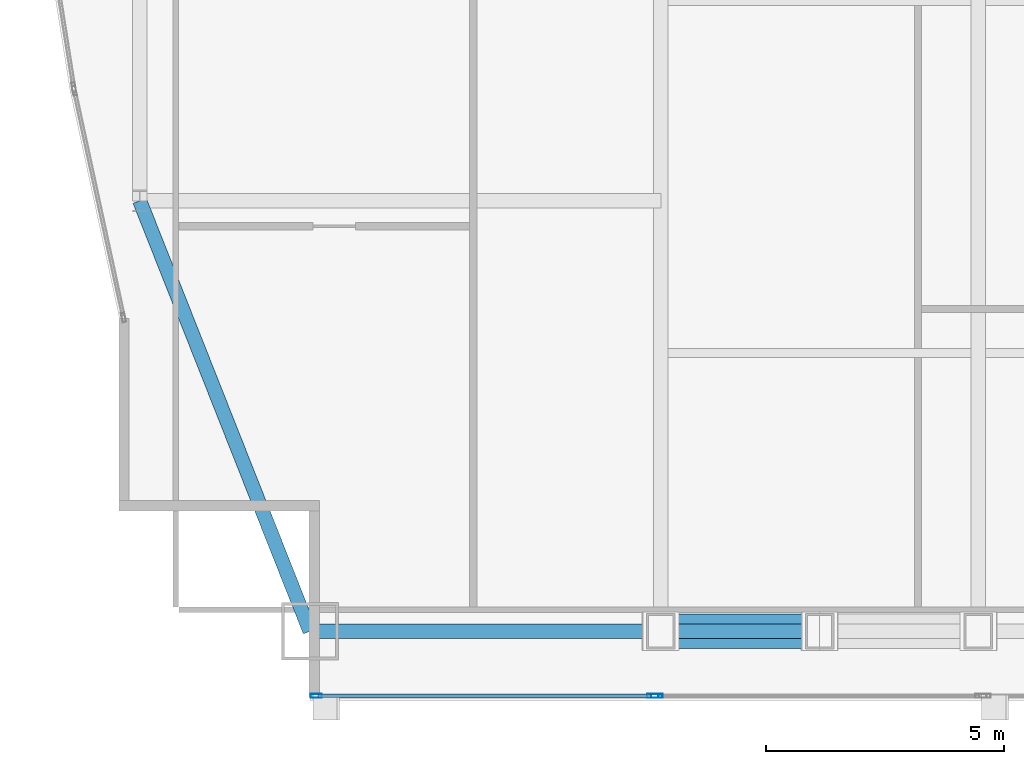
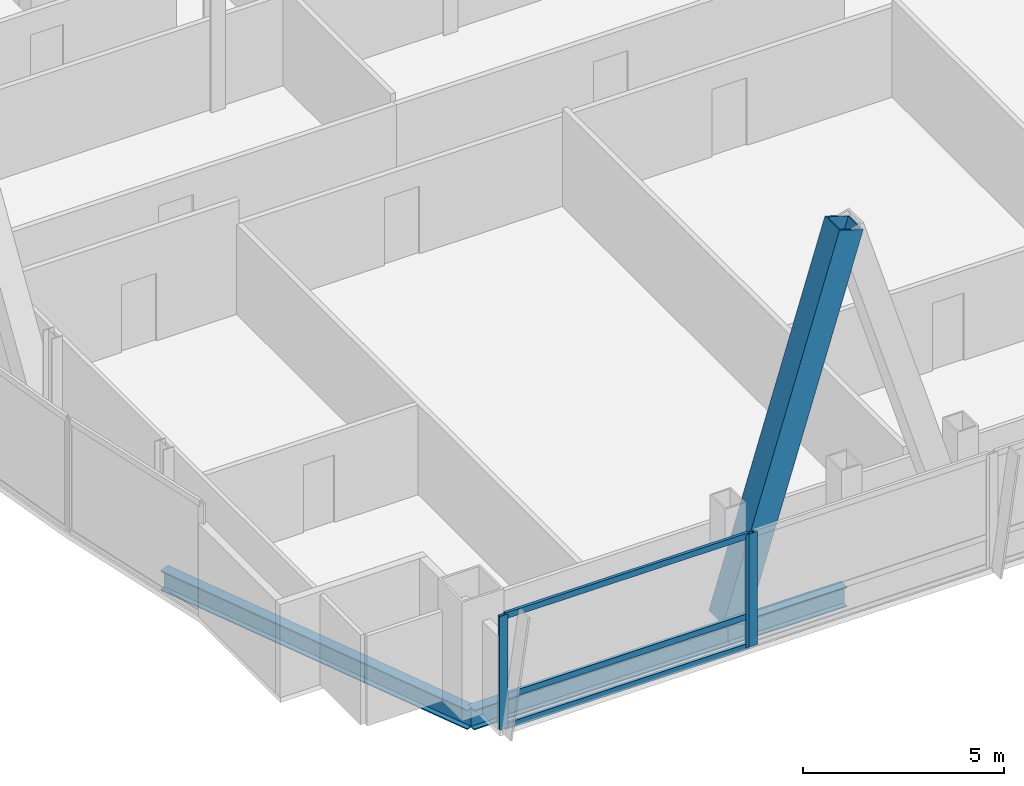
# One storey, part 5 of 33: 7 members, 3 beams, 2 elements without a shape of their own.
"""IFC4 building model written with IfcOpenShell, lengths in metres."""

from ifc_helpers import new_model, si_unit, direction, frame, origin, origin_2d, place, context, subcontext, project, spatial, hollow_rectangle, i_section, extrude, material, material_profile, profile_set, type_object, element, aggregate, save


model = new_model("IFC4")

# Units and contexts
model_context = context("Model", 3, precision=1e-05, world=origin(), true_north=direction((0.0, 1.0)))
body_context = subcontext(model_context, "Body", "Model", "MODEL_VIEW")
ifc_project = project(units=[si_unit("LENGTHUNIT", "METRE"), si_unit("AREAUNIT", "SQUARE_METRE"), si_unit("VOLUMEUNIT", "CUBIC_METRE"), si_unit("PLANEANGLEUNIT", "RADIAN"), si_unit("MASSUNIT", "GRAM", prefix="KILO")], contexts=[model_context])

# Site, building, storey
site_placement = place(None, origin())
site = spatial("IfcSite", under=ifc_project, at=site_placement, CompositionType="ELEMENT")
building_placement = place(site_placement, origin())
building = spatial("IfcBuilding", under=site, at=building_placement, Name="Khoronbel Lancet Exchange", CompositionType="ELEMENT")
storey_placement = place(building_placement, frame((0.0, 0.0, 210.199951171875)))
storey = spatial("IfcBuildingStorey", under=building, at=storey_placement, Name="L53", CompositionType="ELEMENT", Elevation=210.199951171875)

# Beams
ifc_material_1 = material(Name="Steel S355", Category="steel")
ifc_material_profile_1 = material_profile(ifc_material_1, i_section(OverallWidth=0.300048828125, OverallDepth=0.60009765625, WebThickness=0.015380859375, FlangeThickness=0.030029296875, at=origin_2d()), Name="HEB 600")
ifc_profile_set_1 = profile_set([ifc_material_profile_1], Name="Steel S355")
beam_type = type_object("IfcBeamType", Name="BM-BSP2", PredefinedType="SPANDREL", material=ifc_profile_set_1)
beam_1_placement = place(storey_placement, frame((10.85009765625, 10.14990234375, -0.4599609375), z_axis=(1.0, 0.0, 0.0), x_axis=(0.0, 1.0, 0.0)))
element("IfcBeam", 1, at=beam_1_placement, inside=storey, type_object=beam_type, Name="Level L53 perimeter spandrel beam SP01", PredefinedType="SPANDREL", context=body_context, shape_type="SweptSolid", body=[
    extrude(i_section(OverallWidth=0.300048828125, OverallDepth=0.60009765625, WebThickness=0.015380859375, FlangeThickness=0.030029296875, at=origin_2d()), origin(), (0.0, 0.0, 1.0), 7.375),
])
beam_2_placement = place(storey_placement, frame((18.22509765625, 10.14990234375, -0.4599609375), z_axis=(1.0, 0.0, 0.0), x_axis=(0.0, 1.0, 0.0)))
element("IfcBeam", 2, at=beam_2_placement, inside=storey, type_object=beam_type, Name="Level L53 perimeter spandrel beam SP02", PredefinedType="SPANDREL", context=body_context, shape_type="SweptSolid", body=[
    extrude(i_section(OverallWidth=0.300048828125, OverallDepth=0.60009765625, WebThickness=0.015380859375, FlangeThickness=0.030029296875, at=origin_2d()), origin(), (0.0, 0.0, 1.0), 3.33740234375),
])
beam_3_placement = place(storey_placement, frame((7.27001953125, 19.199951171875, -0.4599609375), z_axis=(0.367850095026, -0.92988510451, 0.0), x_axis=(0.92988510451, 0.367850095026, 0.0)))
element("IfcBeam", 3, at=beam_3_placement, inside=storey, type_object=beam_type, Name="Level L53 perimeter spandrel beam SP21", PredefinedType="SPANDREL", context=body_context, shape_type="SweptSolid", body=[
    extrude(i_section(OverallWidth=0.300048828125, OverallDepth=0.60009765625, WebThickness=0.015380859375, FlangeThickness=0.030029296875, at=origin_2d()), origin(), (0.0, 0.0, 1.0), 9.732421875),
])

# Curtain wall, members
ifc_material_2 = material(Name="Low-E Solar Control Insulating Glass", Category="glass")
curtain_wall_type = type_object("IfcCurtainWallType", Name="CW-3", PredefinedType="NOTDEFINED", material=ifc_material_2)
curtain_wall_1_placement = place(storey_placement, origin())
curtain_wall_1 = element("IfcCurtainWall", 4, at=curtain_wall_1_placement, inside=storey, type_object=curtain_wall_type, Name="Unitised curtain wall CW-L53-SWV", PredefinedType="NOTDEFINED")
ifc_material_3 = material(Name="Bronze-Anodised Aluminium 6063-T6", Category="aluminium")
ifc_material_profile_2 = material_profile(ifc_material_3, hollow_rectangle(XDim=0.0849609375, YDim=0.239990234375, WallThickness=0.006103515625, at=origin_2d()), Name="ALU MULLION 85x240")
ifc_profile_set_2 = profile_set([ifc_material_profile_2], Name="Bronze-Anodised Aluminium 6063-T6")
member_type_1 = type_object("IfcMemberType", Name="MEM-CWM1", PredefinedType="MULLION", material=ifc_profile_set_2)
member_1_placement = place(storey_placement, frame((10.982421875, 8.7900390625, 0.0), z_axis=(0.0, 0.0, 1.0), x_axis=(0.0, 1.0, 0.0)))
member_1 = element("IfcMember", 5, at=member_1_placement, type_object=member_type_1, Name="CW3 mullion 1", PredefinedType="MULLION", context=body_context, shape_type="SweptSolid", body=[
    extrude(hollow_rectangle(XDim=0.0849609375, YDim=0.239990234375, WallThickness=0.006103515625, at=origin_2d()), origin(), (0.0, 0.0, 1.0), 3.43994140625),
])
member_2_placement = place(storey_placement, frame((18.0576171875, 8.7900390625, 0.0), z_axis=(0.0, 0.0, 1.0), x_axis=(0.0, 1.0, 0.0)))
member_2 = element("IfcMember", 6, at=member_2_placement, type_object=member_type_1, Name="CW3 mullion 2", PredefinedType="MULLION", context=body_context, shape_type="SweptSolid", body=[
    extrude(hollow_rectangle(XDim=0.0849609375, YDim=0.239990234375, WallThickness=0.006103515625, at=origin_2d()), origin(), (0.0, 0.0, 1.0), 3.43994140625),
])

# Curtain wall, member
curtain_wall_2_placement = place(storey_placement, origin())
curtain_wall_2 = element("IfcCurtainWall", 7, at=curtain_wall_2_placement, inside=storey, type_object=curtain_wall_type, Name="Unitised curtain wall CW-L53-SWB", PredefinedType="NOTDEFINED")
member_3_placement = place(storey_placement, frame((18.142578125, 8.7900390625, 0.0), z_axis=(0.0, 0.0, 1.0), x_axis=(0.0, 1.0, 0.0)))
member_3 = element("IfcMember", 8, at=member_3_placement, type_object=member_type_1, Name="CW3 mullion 1", PredefinedType="MULLION", context=body_context, shape_type="SweptSolid", body=[
    extrude(hollow_rectangle(XDim=0.0849609375, YDim=0.239990234375, WallThickness=0.006103515625, at=origin_2d()), origin(), (0.0, 0.0, 1.0), 3.43994140625),
])
aggregate(curtain_wall_2, [member_3])

# Member
ifc_material_profile_3 = material_profile(ifc_material_3, hollow_rectangle(XDim=0.0849609375, YDim=0.179931640625, WallThickness=0.0048828125, at=origin_2d()), Name="ALU TRANSOM 85x180")
ifc_profile_set_3 = profile_set([ifc_material_profile_3], Name="Bronze-Anodised Aluminium 6063-T6")
member_type_2 = type_object("IfcMemberType", Name="MEM-CWT1", PredefinedType="USERDEFINED", material=ifc_profile_set_3)
member_4_placement = place(storey_placement, frame((11.02490234375, 8.7900390625, 0.04248046875), z_axis=(1.0, 0.0, 0.0), x_axis=(0.0, 1.0, 0.0)))
member_4 = element("IfcMember", 9, at=member_4_placement, type_object=member_type_2, Name="CW3 transom 1.1", ObjectType="TRANSOM", PredefinedType="USERDEFINED", context=body_context, shape_type="SweptSolid", body=[
    extrude(hollow_rectangle(XDim=0.0849609375, YDim=0.179931640625, WallThickness=0.0048828125, at=origin_2d()), origin(), (0.0, 0.0, 1.0), 6.989990234375),
])

member_5_placement = place(storey_placement, frame((11.02490234375, 8.7900390625, 0.949951171875), z_axis=(1.0, 0.0, 0.0), x_axis=(0.0, 1.0, 0.0)))
member_5 = element("IfcMember", 10, at=member_5_placement, type_object=member_type_2, Name="CW3 transom 1.2", ObjectType="TRANSOM", PredefinedType="USERDEFINED", context=body_context, shape_type="SweptSolid", body=[
    extrude(hollow_rectangle(XDim=0.0849609375, YDim=0.179931640625, WallThickness=0.0048828125, at=origin_2d()), origin(), (0.0, 0.0, 1.0), 6.989990234375),
])

member_6_placement = place(storey_placement, frame((11.02490234375, 8.7900390625, 3.3974609375), z_axis=(1.0, 0.0, 0.0), x_axis=(0.0, 1.0, 0.0)))
member_6 = element("IfcMember", 11, at=member_6_placement, type_object=member_type_2, Name="CW3 transom 1.3", ObjectType="TRANSOM", PredefinedType="USERDEFINED", context=body_context, shape_type="SweptSolid", body=[
    extrude(hollow_rectangle(XDim=0.0849609375, YDim=0.179931640625, WallThickness=0.0048828125, at=origin_2d()), origin(), (0.0, 0.0, 1.0), 6.989990234375),
])

aggregate(curtain_wall_1, [member_1, member_2, member_4, member_5, member_6])

ifc_material_4 = material(Name="Steel S460", Category="steel")
ifc_material_profile_4 = material_profile(ifc_material_4, hollow_rectangle(XDim=0.719970703125, YDim=0.719970703125, WallThickness=0.050048828125, at=origin_2d()), Name="BOX 720x720x50")
ifc_profile_set_4 = profile_set([ifc_material_profile_4], Name="Steel S460")
member_type_3 = type_object("IfcMemberType", Name="MEM-MB2", PredefinedType="BRACE", material=ifc_profile_set_4)
member_7_placement = place(storey_placement, frame((18.22509765625, 10.14990234375, 0.0), z_axis=(0.295242108906, 0.0, 0.955422470496), x_axis=(0.0, 1.0, 0.0)))
element("IfcMember", 12, at=member_7_placement, inside=storey, type_object=member_type_3, Name="Perimeter lancet brace tier 18 S-W-L", PredefinedType="BRACE", context=body_context, shape_type="SweptSolid", body=[
    extrude(hollow_rectangle(XDim=0.719970703125, YDim=0.719970703125, WallThickness=0.050048828125, at=origin_2d()), origin(), (0.0, 0.0, 1.0), 11.303955078125),
])

save(model, "model.ifc")
